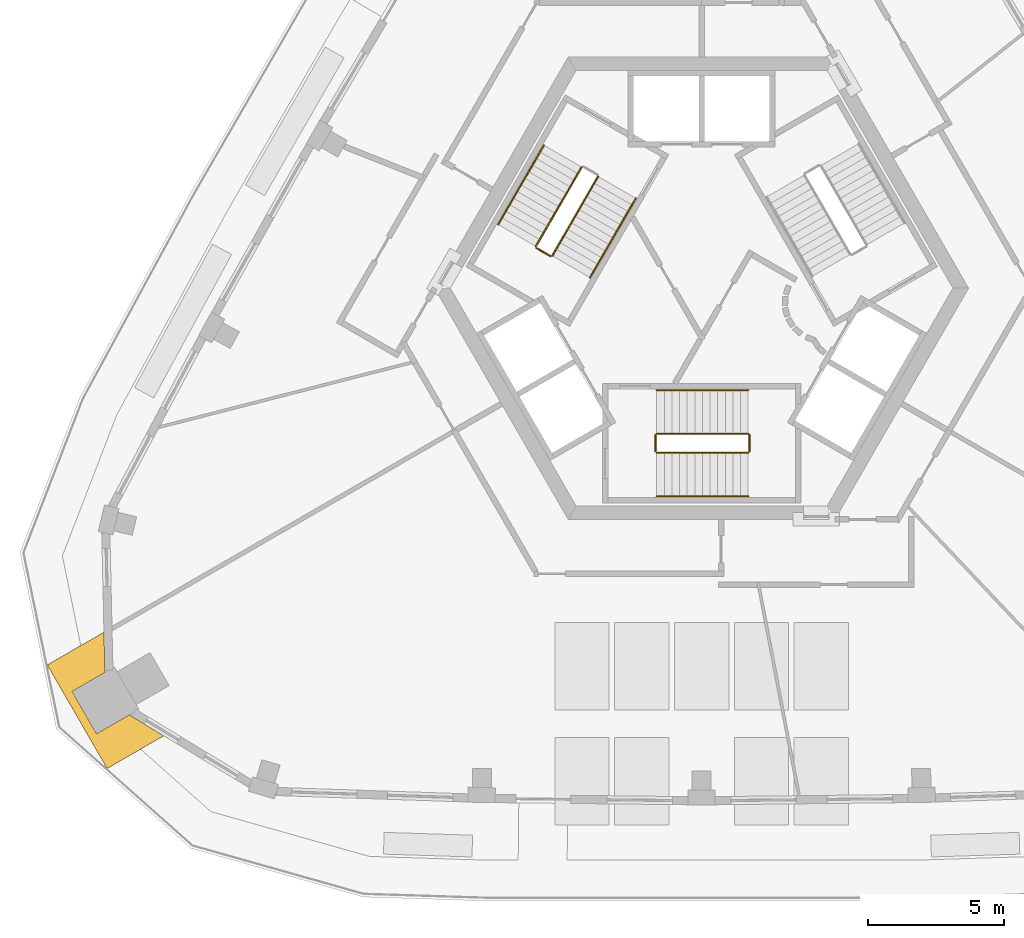
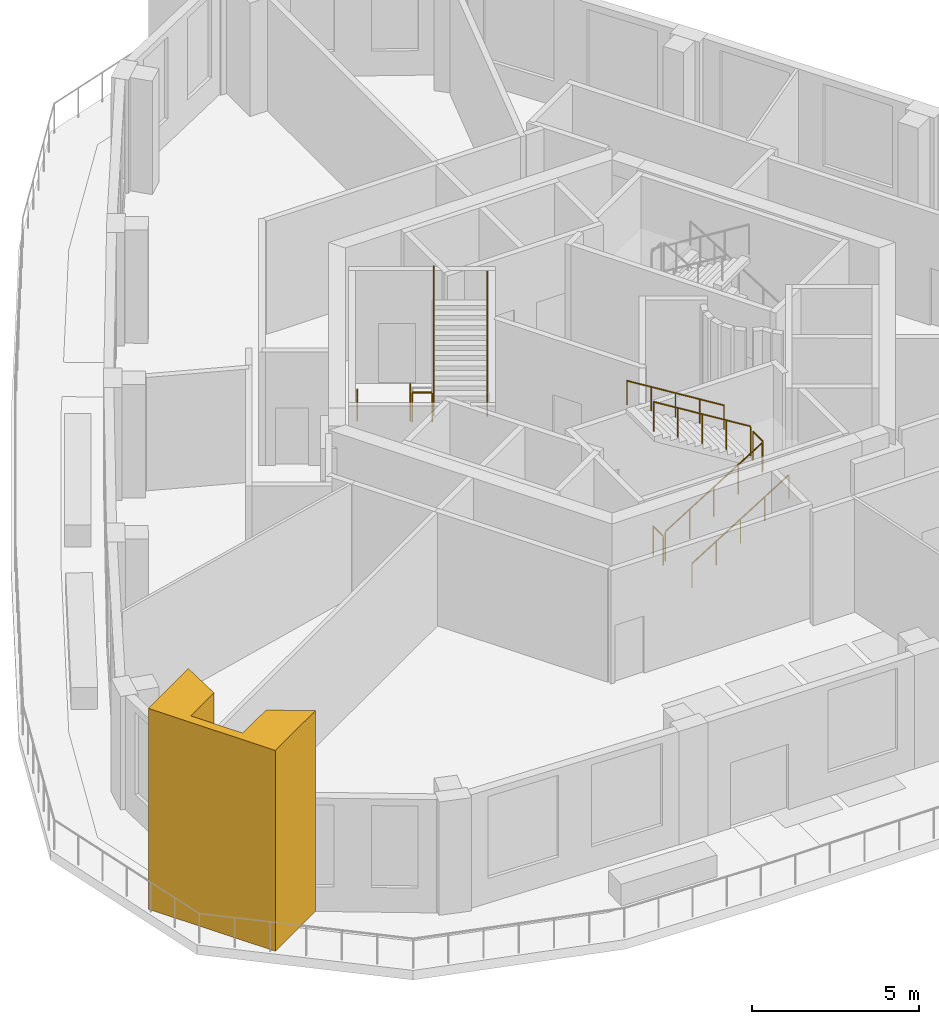
# One storey, part 7 of 9: 11 railings, 1 covering.
"""IFC4 building model written with IfcOpenShell, lengths in metres."""

import ifcopenshell
import ifcopenshell.guid

model = None  # the IFC model being written
_history = None  # IfcOwnerHistory: only IFC2X3 demands one
_inside = {}  # id of a spatial element -> (the spatial element, [elements in it])
_under = {}  # id of a project, library or spatial element -> (it, [spatial elements below it])
_declared = {}  # id of a project -> (the project, [libraries it declares])
_typed = {}  # id of a type object -> (the type object, [elements of that type])
_made_of = {}  # id of a material, layer set ... -> (it, [elements and type objects made of it])


def new_model(schema):
    """Start an empty IFC model of exactly this schema.

    Asked for "IFC4X3", IfcOpenShell would pick the latest addendum, in which some entities
    have other attributes; the version numbers below select the first issue.
    IFC2X3 requires an IfcOwnerHistory on every rooted entity: one is made here for all.
    """
    global model, _history
    if schema == "IFC4X3":
        model = ifcopenshell.file(schema_version=(4, 3, 0, 0))
    else:
        model = ifcopenshell.file(schema=schema)
    _inside.clear()
    _under.clear()
    _declared.clear()
    _typed.clear()
    _made_of.clear()
    _history = None
    if model.schema == "IFC2X3":
        org = make("IfcOrganization", Name="unknown")
        user = make(
            "IfcPersonAndOrganization",
            ThePerson=make("IfcPerson", FamilyName="unknown"),
            TheOrganization=org,
        )
        app = make(
            "IfcApplication",
            ApplicationDeveloper=org,
            Version="unknown",
            ApplicationFullName="unknown",
            ApplicationIdentifier="unknown",
        )
        _history = make(
            "IfcOwnerHistory",
            OwningUser=user,
            OwningApplication=app,
            ChangeAction="ADDED",
            CreationDate=0,
        )
    return model


def make(cls, **values):
    """One entity of the class cls with the attributes given. An attribute that is None is left unset."""
    return model.create_entity(
        cls, **{name: value for name, value in values.items() if value is not None}
    )


def rooted(cls, **values):
    """An entity with a GlobalId (a new one), such as an element, a storey or a relation."""
    return make(cls, GlobalId=ifcopenshell.guid.new(), OwnerHistory=_history, **values)


def si_unit(unit_type, name, prefix=None):
    """IfcSIUnit, for example si_unit("LENGTHUNIT", "METRE", prefix="MILLI")."""
    return make("IfcSIUnit", UnitType=unit_type, Prefix=prefix, Name=name)


def assignment(units):
    """IfcUnitAssignment: the units of a project."""
    return None if units is None else make("IfcUnitAssignment", Units=units)


def point(xyz):
    """IfcCartesianPoint."""
    return None if xyz is None else make("IfcCartesianPoint", Coordinates=xyz)


def direction(xyz):
    """IfcDirection."""
    return None if xyz is None else make("IfcDirection", DirectionRatios=xyz)


def frame(location, z_axis=None, x_axis=None):
    """IfcAxis2Placement3D, a coordinate frame: its origin and axes. An axis left out is left unset."""
    return make(
        "IfcAxis2Placement3D",
        Location=point(location),
        Axis=direction(z_axis),
        RefDirection=direction(x_axis),
    )


def frame_2d(location, x_axis=None):
    """IfcAxis2Placement2D, a coordinate frame in the plane: its origin and x axis."""
    return make(
        "IfcAxis2Placement2D", Location=point(location), RefDirection=direction(x_axis)
    )


def origin():
    """The frame at (0, 0, 0) with its axes left unset."""
    return frame((0.0, 0.0, 0.0))


def origin_2d():
    """The frame at (0, 0) in the plane with its x axis left unset."""
    return frame_2d((0.0, 0.0))


def place(relative_to, where):
    """IfcLocalPlacement: puts the frame where relative to a parent placement (None: the world)."""
    return make(
        "IfcLocalPlacement", PlacementRelTo=relative_to, RelativePlacement=where
    )


def context(
    kind, dimensions, precision=None, world=None, true_north=None, identifier=None
):
    """IfcGeometricRepresentationContext, for example the 3D "Model" context."""
    return make(
        "IfcGeometricRepresentationContext",
        ContextIdentifier=identifier,
        ContextType=kind,
        CoordinateSpaceDimension=dimensions,
        Precision=precision,
        WorldCoordinateSystem=world,
        TrueNorth=true_north,
    )


def subcontext(parent, identifier, kind, view, scale=None):
    """IfcGeometricRepresentationSubContext, for example "Body" below "Model"."""
    return make(
        "IfcGeometricRepresentationSubContext",
        ContextIdentifier=identifier,
        ContextType=kind,
        ParentContext=parent,
        TargetScale=scale,
        TargetView=view,
    )


def project(units=None, contexts=None):
    """IfcProject with its units and contexts."""
    return rooted(
        "IfcProject",
        Name="project",
        RepresentationContexts=contexts,
        UnitsInContext=assignment(units),
    )


def spatial(cls, under=None, at=None, **own):
    """A site, building, storey or space (cls), placed at a placement, below another one or the project."""
    s = rooted(cls, ObjectPlacement=at, **own)
    if under is not None:
        _under.setdefault(under.id(), (under, []))[1].append(s)
    return s


def polyline(points):
    """IfcPolyline through the points."""
    return make("IfcPolyline", Points=[point(p) for p in points])


def profile(cls, at=None, kind="AREA", **sizes):
    """A parametric profile (cls). Its sizes go by their IFC names, for example OverallWidth=200.0."""
    return make(cls, ProfileType=kind, Position=at, **sizes)


def circle(**sizes):
    """IfcCircleProfileDef."""
    return profile("IfcCircleProfileDef", **sizes)


def outline(outer, holes=None, kind="AREA"):
    """IfcArbitraryClosedProfileDef: a profile drawn as a closed curve; with holes, ...WithVoids."""
    if holes is None:
        return make("IfcArbitraryClosedProfileDef", ProfileType=kind, OuterCurve=outer)
    return make(
        "IfcArbitraryProfileDefWithVoids",
        ProfileType=kind,
        OuterCurve=outer,
        InnerCurves=holes,
    )


def extrude(swept, where, along, depth):
    """IfcExtrudedAreaSolid: the profile swept, set in the frame where, extruded along a direction by depth."""
    return make(
        "IfcExtrudedAreaSolid",
        SweptArea=swept,
        Position=where,
        ExtrudedDirection=direction(along),
        Depth=depth,
    )


def shape(context_of_items, identifier, shape_type, items):
    """IfcShapeRepresentation: the items that make up one representation, for example the "Body"."""
    return make(
        "IfcShapeRepresentation",
        ContextOfItems=context_of_items,
        RepresentationIdentifier=identifier,
        RepresentationType=shape_type,
        Items=items,
    )


def material(Name=None, Category=None):
    """IfcMaterial."""
    return make("IfcMaterial", Name=Name, Category=Category)


def made_of(thing, what):
    """Note that an element or type object is made of a material, layer set ...; save() writes the relation."""
    if what is not None:
        _made_of.setdefault(what.id(), (what, []))[1].append(thing)
    return thing


def type_object(cls, material=None, **own):
    """A type object (cls), such as IfcWallType, which elements share."""
    return made_of(rooted(cls, **own), material)


def element(
    cls,
    number,
    at=None,
    inside=None,
    cuts=None,
    type_object=None,
    material=None,
    context=None,
    identifier="Body",
    shape_type=None,
    held_by="IfcProductDefinitionShape",
    body=None,
    shapes=None,
    **own,
):
    """One element of the class cls, such as IfcWall. Its Tag is "e" and its number.

    at: its placement. inside: the storey or other place that contains it. cuts: it is an
    opening in that element (IfcRelVoidsElement). A single representation is given by context,
    identifier, shape_type and body (its items); several are given by shapes. held_by: the class
    of the entity that holds the representations. save() writes the other relations.
    """
    e = rooted(cls, Tag="e%d" % number, ObjectPlacement=at, **own)
    if body is not None:
        shapes = [shape(context, identifier, shape_type, body)]
    if shapes is not None:
        e.Representation = make(held_by, Representations=shapes)
    if inside is not None:
        _inside.setdefault(inside.id(), (inside, []))[1].append(e)
    if cuts is not None:
        rooted(
            "IfcRelVoidsElement", RelatingBuildingElement=cuts, RelatedOpeningElement=e
        )
    if type_object is not None:
        _typed.setdefault(type_object.id(), (type_object, []))[1].append(e)
    return made_of(e, material)


def aggregate(whole, parts):
    """IfcRelAggregates: a whole, such as a stair, and the parts it consists of."""
    return rooted("IfcRelAggregates", RelatingObject=whole, RelatedObjects=parts)


def save(model, path):
    """Write the relations noted so far, then the file.

    IfcRelAggregates (storeys below a building ...), IfcRelContainedInSpatialStructure (elements
    in a storey), IfcRelDefinesByType, IfcRelAssociatesMaterial and IfcRelDeclares: one each for
    every whole, place, type object, material and project.
    """
    for whole, parts in _under.values():
        aggregate(whole, parts)
    for where, things in _inside.values():
        rooted(
            "IfcRelContainedInSpatialStructure",
            RelatedElements=things,
            RelatingStructure=where,
        )
    for kind, things in _typed.values():
        rooted("IfcRelDefinesByType", RelatedObjects=things, RelatingType=kind)
    for what, things in _made_of.values():
        rooted("IfcRelAssociatesMaterial", RelatedObjects=things, RelatingMaterial=what)
    for by, libraries in _declared.values():
        rooted("IfcRelDeclares", RelatingContext=by, RelatedDefinitions=libraries)
    model.write(path)


model = new_model("IFC4")

# Units and contexts
model_context = context("Model", 3, precision=1e-05, world=origin(), true_north=direction((0.0, 1.0)))
body_context = subcontext(model_context, "Body", "Model", "MODEL_VIEW")
ifc_project = project(units=[si_unit("LENGTHUNIT", "METRE"), si_unit("AREAUNIT", "SQUARE_METRE"), si_unit("VOLUMEUNIT", "CUBIC_METRE"), si_unit("PLANEANGLEUNIT", "RADIAN"), si_unit("MASSUNIT", "GRAM", prefix="KILO")], contexts=[model_context])

# Site, building, storey
site_placement = place(None, origin())
site = spatial("IfcSite", under=ifc_project, at=site_placement, CompositionType="ELEMENT")
building_placement = place(site_placement, origin())
building = spatial("IfcBuilding", under=site, at=building_placement, Name="Entoto Arch Interchange Tower", CompositionType="ELEMENT")
storey_placement = place(building_placement, frame((0.0, 0.0, 331.39990234375)))
storey = spatial("IfcBuildingStorey", under=building, at=storey_placement, Name="L78", CompositionType="ELEMENT", Elevation=331.39990234375)

# Covering
ifc_material_1 = material(Name="Board-marked precast concrete C50/60", Category="concrete")
covering_type = type_object("IfcCoveringType", Name="PRECAST FRAME COURSE", PredefinedType="CLADDING", material=ifc_material_1)
covering_placement = place(storey_placement, origin())
element("IfcCovering", 1, at=covering_placement, inside=storey, type_object=covering_type, Name="Corner pilaster SW L78-L79", PredefinedType="CLADDING", context=body_context, shape_type="SweptSolid", body=[
    extrude(outline(polyline([(-21.860107421875, -15.160888671875), (-24.06005859375, -11.35107421875), (-21.98193359375, -10.15087890625), (-21.97705078125, -10.158935546875), (-21.944091796875, -11.6298828125), (-23.14990234375, -12.326904296875), (-22.25, -13.885009765625), (-21.0439453125, -13.18896484375), (-19.787109375, -13.952880859375), (-19.781982421875, -13.9609375), (-21.860107421875, -15.160888671875)])), origin(), (0.0, 0.0, 1.0), 7.35009765625),
])

# Railings
ifc_material_2 = material(Name="Stainless steel 1.4301", Category="steel")
railing_type_1 = type_object("IfcRailingType", Name="STAIR GUARD 1100 STEEL", PredefinedType="GUARDRAIL", material=ifc_material_2)
railing_1_placement = place(storey_placement, frame((-1.64990234375, -3.550048828125, 0.173095703125)))
element("IfcRailing", 2, at=railing_1_placement, inside=storey, type_object=railing_type_1, Name="L78 ST-S stair guard 1", PredefinedType="GUARDRAIL", context=body_context, shape_type="SweptSolid", body=[
    extrude(circle(Radius=0.02392578125, at=origin_2d()), frame((0.0, 0.0, 1.076171875), z_axis=(0.850606129759, 0.0, 0.525803396734), x_axis=(0.0, 1.0, 0.0)), (0.0, 0.0, 1.0), 3.949951171875),
    extrude(circle(Radius=0.02099609375, at=origin_2d()), origin(), (0.0, 0.0, 1.0), 1.052001953125),
    extrude(circle(Radius=0.02099609375, at=origin_2d()), frame((0.83984375, 0.0, 0.519287109375)), (0.0, 0.0, 1.0), 1.052001953125),
    extrude(circle(Radius=0.02099609375, at=origin_2d()), frame((1.679931640625, 0.0, 1.03857421875)), (0.0, 0.0, 1.0), 1.052001953125),
    extrude(circle(Radius=0.02099609375, at=origin_2d()), frame((2.52001953125, 0.0, 1.5576171875)), (0.0, 0.0, 1.0), 1.052001953125),
    extrude(circle(Radius=0.02099609375, at=origin_2d()), frame((3.35986328125, 0.0, 2.076904296875)), (0.0, 0.0, 1.0), 1.052001953125),
])
railing_2_placement = place(storey_placement, frame((1.760009765625, -3.5, 2.25)))
element("IfcRailing", 3, at=railing_2_placement, inside=storey, type_object=railing_type_1, Name="L78 ST-S stair guard 2", PredefinedType="GUARDRAIL", context=body_context, shape_type="SweptSolid", body=[
    extrude(circle(Radius=0.02392578125, at=origin_2d()), frame((0.0, 0.0, 1.076171875), z_axis=(0.0, 1.0, 0.0), x_axis=(-1.0, 0.0, 0.0)), (0.0, 0.0, 1.0), 0.60009765625),
    extrude(circle(Radius=0.02099609375, at=origin_2d()), origin(), (0.0, 0.0, 1.0), 1.052001953125),
    extrude(circle(Radius=0.02099609375, at=origin_2d()), frame((0.0, 0.60009765625, 0.0)), (0.0, 0.0, 1.0), 1.052001953125),
])
railing_3_placement = place(storey_placement, frame((1.7099609375, -2.85009765625, 2.423095703125)))
element("IfcRailing", 4, at=railing_3_placement, inside=storey, type_object=railing_type_1, Name="L78 ST-S stair guard 3", PredefinedType="GUARDRAIL", context=body_context, shape_type="SweptSolid", body=[
    extrude(circle(Radius=0.02392578125, at=origin_2d()), frame((0.0, 0.0, 1.076171875), z_axis=(-0.850606129759, 0.0, 0.525803396734), x_axis=(0.0, -1.0, 0.0)), (0.0, 0.0, 1.0), 3.949951171875),
    extrude(circle(Radius=0.02099609375, at=origin_2d()), origin(), (0.0, 0.0, 1.0), 1.052001953125),
    extrude(circle(Radius=0.02099609375, at=origin_2d()), frame((-0.83984375, 0.0, 0.519287109375)), (0.0, 0.0, 1.0), 1.052001953125),
    extrude(circle(Radius=0.02099609375, at=origin_2d()), frame((-1.679931640625, 0.0, 1.03857421875)), (0.0, 0.0, 1.0), 1.052001953125),
    extrude(circle(Radius=0.02099609375, at=origin_2d()), frame((-2.52001953125, 0.0, 1.5576171875)), (0.0, 0.0, 1.0), 1.052001953125),
    extrude(circle(Radius=0.02099609375, at=origin_2d()), frame((-3.35986328125, 0.0, 2.076904296875)), (0.0, 0.0, 1.0), 1.052001953125),
])
railing_4_placement = place(storey_placement, frame((-1.699951171875, -3.5, 0.0)))
element("IfcRailing", 5, at=railing_4_placement, inside=storey, type_object=railing_type_1, Name="L78 ST-S stair guard 4", PredefinedType="GUARDRAIL", context=body_context, shape_type="SweptSolid", body=[
    extrude(circle(Radius=0.02392578125, at=origin_2d()), frame((0.0, 0.0, 1.076171875), z_axis=(0.0, 1.0, 0.0), x_axis=(-1.0, 0.0, 0.0)), (0.0, 0.0, 1.0), 0.60009765625),
    extrude(circle(Radius=0.02099609375, at=origin_2d()), origin(), (0.0, 0.0, 1.0), 1.052001953125),
    extrude(circle(Radius=0.02099609375, at=origin_2d()), frame((0.0, 0.60009765625, 0.0)), (0.0, 0.0, 1.0), 1.052001953125),
])
railing_5_placement = place(storey_placement, frame((-4.41455078125, 6.953857421875, 0.173095703125)))
element("IfcRailing", 6, at=railing_5_placement, inside=storey, type_object=railing_type_1, Name="L78 ST-NW stair guard 1", PredefinedType="GUARDRAIL", context=body_context, shape_type="SweptSolid", body=[
    extrude(circle(Radius=0.02392578125, at=origin_2d()), frame((0.0, 0.0, 1.076171875), z_axis=(-0.425307743487, -0.736639687092, 0.525809180911), x_axis=(0.866021014662, -0.500007602105, 0.0)), (0.0, 0.0, 1.0), 3.949951171875),
    extrude(circle(Radius=0.02099609375, at=origin_2d()), origin(), (0.0, 0.0, 1.0), 1.052001953125),
    extrude(circle(Radius=0.02099609375, at=origin_2d()), frame((-0.419921875, -0.7275390625, 0.519287109375)), (0.0, 0.0, 1.0), 1.052001953125),
    extrude(circle(Radius=0.02099609375, at=origin_2d()), frame((-0.83984375, -1.454833984375, 1.03857421875)), (0.0, 0.0, 1.0), 1.052001953125),
    extrude(circle(Radius=0.02099609375, at=origin_2d()), frame((-1.260009765625, -2.18212890625, 1.5576171875)), (0.0, 0.0, 1.0), 1.052001953125),
    extrude(circle(Radius=0.02099609375, at=origin_2d()), frame((-1.679931640625, -2.90966796875, 2.076904296875)), (0.0, 0.0, 1.0), 1.052001953125),
])
railing_6_placement = place(storey_placement, frame((-6.076171875, 3.975830078125, 2.25)))
element("IfcRailing", 7, at=railing_6_placement, inside=storey, type_object=railing_type_1, Name="L78 ST-NW stair guard 2", PredefinedType="GUARDRAIL", context=body_context, shape_type="SweptSolid", body=[
    extrude(circle(Radius=0.02392578125, at=origin_2d()), frame((0.0, 0.0, 1.076171875), z_axis=(0.865955154139, -0.50012165622, 0.0), x_axis=(0.50012165622, 0.865955154139, 0.0)), (0.0, 0.0, 1.0), 0.599853515625),
    extrude(circle(Radius=0.02099609375, at=origin_2d()), origin(), (0.0, 0.0, 1.0), 1.052001953125),
    extrude(circle(Radius=0.02099609375, at=origin_2d()), frame((0.51953125, -0.300048828125, 0.0)), (0.0, 0.0, 1.0), 1.052001953125),
])
railing_7_placement = place(storey_placement, frame((-5.48828125, 3.694091796875, 2.423095703125)))
element("IfcRailing", 8, at=railing_7_placement, inside=storey, type_object=railing_type_1, Name="L78 ST-NW stair guard 3", PredefinedType="GUARDRAIL", context=body_context, shape_type="SweptSolid", body=[
    extrude(circle(Radius=0.02392578125, at=origin_2d()), frame((0.0, 0.0, 1.076171875), z_axis=(0.425288379326, 0.736667954249, 0.525785240943), x_axis=(-0.866039179741, 0.499976138585, 0.0)), (0.0, 0.0, 1.0), 3.9501953125),
    extrude(circle(Radius=0.02099609375, at=origin_2d()), origin(), (0.0, 0.0, 1.0), 1.052001953125),
    extrude(circle(Radius=0.02099609375, at=origin_2d()), frame((0.419921875, 0.7275390625, 0.519287109375)), (0.0, 0.0, 1.0), 1.052001953125),
    extrude(circle(Radius=0.02099609375, at=origin_2d()), frame((0.83984375, 1.455078125, 1.03857421875)), (0.0, 0.0, 1.0), 1.052001953125),
    extrude(circle(Radius=0.02099609375, at=origin_2d()), frame((1.260009765625, 2.182373046875, 1.5576171875)), (0.0, 0.0, 1.0), 1.052001953125),
    extrude(circle(Radius=0.02099609375, at=origin_2d()), frame((1.679931640625, 2.909912109375, 2.076904296875)), (0.0, 0.0, 1.0), 1.052001953125),
])
railing_type_2 = type_object("IfcRailingType", Name="STAIR HANDRAIL 900 STEEL", PredefinedType="HANDRAIL", material=ifc_material_2)
railing_8_placement = place(storey_placement, frame((-1.64990234375, -5.14990234375, 0.173095703125)))
element("IfcRailing", 9, at=railing_8_placement, inside=storey, type_object=railing_type_2, Name="L78 ST-S stair handrail 1", PredefinedType="HANDRAIL", context=body_context, shape_type="SweptSolid", body=[
    extrude(circle(Radius=0.02392578125, at=origin_2d()), frame((0.0, 0.0, 0.8759765625), z_axis=(0.850606129759, 0.0, 0.525803396734), x_axis=(0.0, 1.0, 0.0)), (0.0, 0.0, 1.0), 3.949951171875),
    extrude(circle(Radius=0.02099609375, at=origin_2d()), origin(), (0.0, 0.0, 1.0), 0.851806640625),
    extrude(circle(Radius=0.02099609375, at=origin_2d()), frame((0.83984375, 0.0, 0.519287109375)), (0.0, 0.0, 1.0), 0.851806640625),
    extrude(circle(Radius=0.02099609375, at=origin_2d()), frame((1.679931640625, 0.0, 1.03857421875)), (0.0, 0.0, 1.0), 0.851806640625),
    extrude(circle(Radius=0.02099609375, at=origin_2d()), frame((2.52001953125, 0.0, 1.5576171875)), (0.0, 0.0, 1.0), 0.851806640625),
    extrude(circle(Radius=0.02099609375, at=origin_2d()), frame((3.35986328125, 0.0, 2.076904296875)), (0.0, 0.0, 1.0), 0.851806640625),
])
railing_9_placement = place(storey_placement, frame((1.7099609375, -1.25, 2.423095703125)))
element("IfcRailing", 10, at=railing_9_placement, inside=storey, type_object=railing_type_2, Name="L78 ST-S stair handrail 2", PredefinedType="HANDRAIL", context=body_context, shape_type="SweptSolid", body=[
    extrude(circle(Radius=0.02392578125, at=origin_2d()), frame((0.0, 0.0, 0.8759765625), z_axis=(-0.850606129759, 0.0, 0.525803396734), x_axis=(0.0, -1.0, 0.0)), (0.0, 0.0, 1.0), 3.949951171875),
    extrude(circle(Radius=0.02099609375, at=origin_2d()), origin(), (0.0, 0.0, 1.0), 0.851806640625),
    extrude(circle(Radius=0.02099609375, at=origin_2d()), frame((-0.83984375, 0.0, 0.519287109375)), (0.0, 0.0, 1.0), 0.851806640625),
    extrude(circle(Radius=0.02099609375, at=origin_2d()), frame((-1.679931640625, 0.0, 1.03857421875)), (0.0, 0.0, 1.0), 0.851806640625),
    extrude(circle(Radius=0.02099609375, at=origin_2d()), frame((-2.52001953125, 0.0, 1.5576171875)), (0.0, 0.0, 1.0), 0.851806640625),
    extrude(circle(Radius=0.02099609375, at=origin_2d()), frame((-3.35986328125, 0.0, 2.076904296875)), (0.0, 0.0, 1.0), 0.851806640625),
])
railing_10_placement = place(storey_placement, frame((-5.800048828125, 7.75390625, 0.173095703125)))
element("IfcRailing", 11, at=railing_10_placement, inside=storey, type_object=railing_type_2, Name="L78 ST-NW stair handrail 1", PredefinedType="HANDRAIL", context=body_context, shape_type="SweptSolid", body=[
    extrude(circle(Radius=0.02392578125, at=origin_2d()), frame((0.0, 0.0, 0.8759765625), z_axis=(-0.425288379326, -0.736667954249, 0.525785240943), x_axis=(0.866039179741, -0.499976138585, 0.0)), (0.0, 0.0, 1.0), 3.9501953125),
    extrude(circle(Radius=0.02099609375, at=origin_2d()), origin(), (0.0, 0.0, 1.0), 0.851806640625),
    extrude(circle(Radius=0.02099609375, at=origin_2d()), frame((-0.419921875, -0.7275390625, 0.519287109375)), (0.0, 0.0, 1.0), 0.851806640625),
    extrude(circle(Radius=0.02099609375, at=origin_2d()), frame((-0.83984375, -1.455078125, 1.03857421875)), (0.0, 0.0, 1.0), 0.851806640625),
    extrude(circle(Radius=0.02099609375, at=origin_2d()), frame((-1.260009765625, -2.182373046875, 1.5576171875)), (0.0, 0.0, 1.0), 0.851806640625),
    extrude(circle(Radius=0.02099609375, at=origin_2d()), frame((-1.679931640625, -2.909912109375, 2.076904296875)), (0.0, 0.0, 1.0), 0.851806640625),
])
railing_11_placement = place(storey_placement, frame((-4.1025390625, 2.89404296875, 2.423095703125)))
element("IfcRailing", 12, at=railing_11_placement, inside=storey, type_object=railing_type_2, Name="L78 ST-NW stair handrail 2", PredefinedType="HANDRAIL", context=body_context, shape_type="SweptSolid", body=[
    extrude(circle(Radius=0.02392578125, at=origin_2d()), frame((0.0, 0.0, 0.8759765625), z_axis=(0.425288379326, 0.736667954249, 0.525785240943), x_axis=(-0.866039179741, 0.499976138585, 0.0)), (0.0, 0.0, 1.0), 3.9501953125),
    extrude(circle(Radius=0.02099609375, at=origin_2d()), origin(), (0.0, 0.0, 1.0), 0.851806640625),
    extrude(circle(Radius=0.02099609375, at=origin_2d()), frame((0.419921875, 0.7275390625, 0.519287109375)), (0.0, 0.0, 1.0), 0.851806640625),
    extrude(circle(Radius=0.02099609375, at=origin_2d()), frame((0.83984375, 1.455078125, 1.03857421875)), (0.0, 0.0, 1.0), 0.851806640625),
    extrude(circle(Radius=0.02099609375, at=origin_2d()), frame((1.260009765625, 2.182373046875, 1.5576171875)), (0.0, 0.0, 1.0), 0.851806640625),
    extrude(circle(Radius=0.02099609375, at=origin_2d()), frame((1.679931640625, 2.909912109375, 2.076904296875)), (0.0, 0.0, 1.0), 0.851806640625),
])

save(model, "model.ifc")
